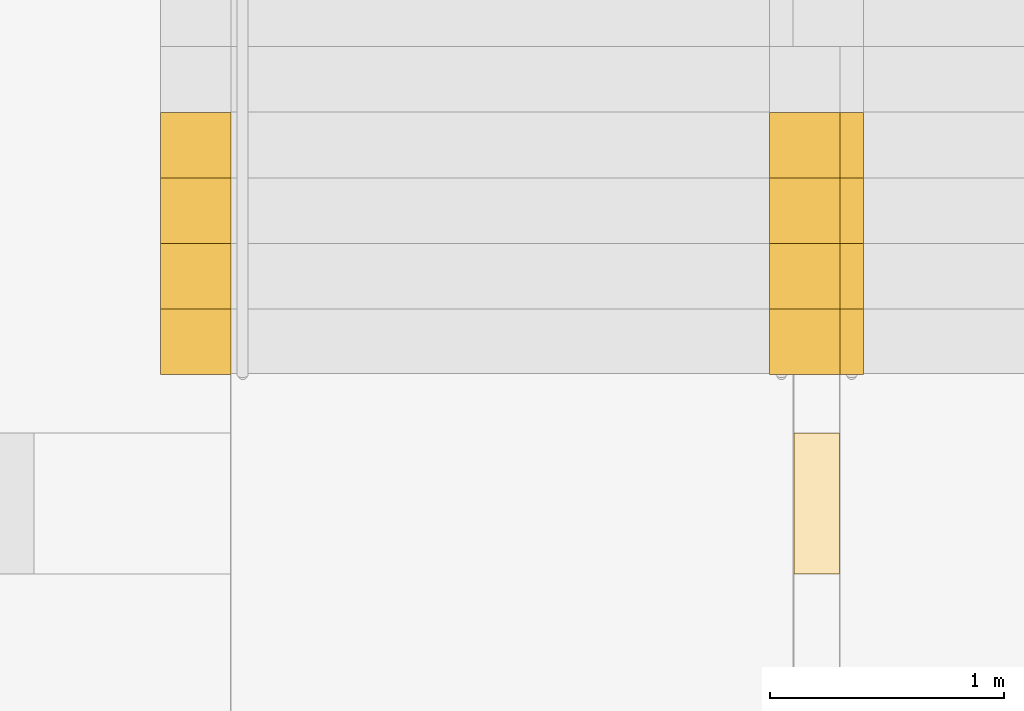
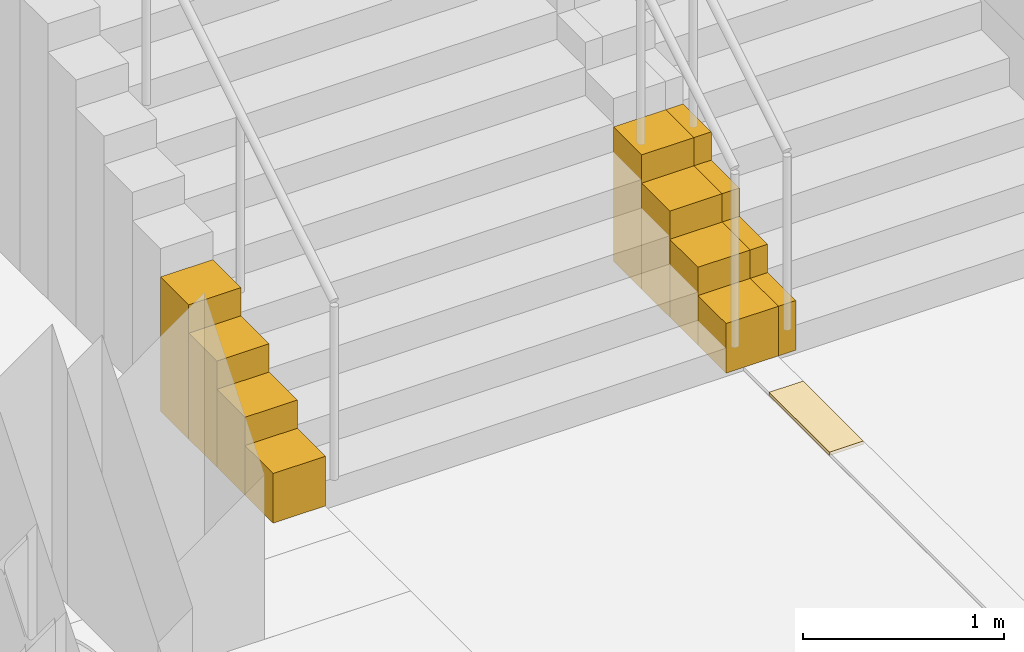
# One storey, part 146 of 148: 13 coverings.
"""IFC4 building model written with IfcOpenShell, lengths in metres."""

from ifc_helpers import new_model, si_unit, direction, frame, origin, place, context, subcontext, project, spatial, polyline, outline, extrude, material, layer, layer_set, type_object, element, save


model = new_model("IFC4")

# Units and contexts
model_context = context("Model", 3, precision=1e-05, world=origin(), true_north=direction((0.0, 1.0)))
body_context = subcontext(model_context, "Body", "Model", "MODEL_VIEW")
ifc_project = project(units=[si_unit("LENGTHUNIT", "METRE"), si_unit("AREAUNIT", "SQUARE_METRE"), si_unit("VOLUMEUNIT", "CUBIC_METRE"), si_unit("PLANEANGLEUNIT", "RADIAN"), si_unit("MASSUNIT", "GRAM", prefix="KILO")], contexts=[model_context])

# Site, building, storey
site_placement = place(None, origin())
site = spatial("IfcSite", under=ifc_project, at=site_placement, CompositionType="ELEMENT")
building_placement = place(site_placement, origin())
building = spatial("IfcBuilding", under=site, at=building_placement, Name="Kupolbacken Congress Centre", CompositionType="ELEMENT")
storey_placement = place(building_placement, origin())
storey = spatial("IfcBuildingStorey", under=building, at=storey_placement, Name="L00", CompositionType="ELEMENT", Elevation=0.0)

# Coverings
ifc_material_1 = material(Name="Limestone cladding", Category="masonry")
ifc_layer_1 = layer(ifc_material_1, 0.1201171875)
ifc_layer_set_1 = layer_set([ifc_layer_1], Name="Limestone cladding")
covering_type_1 = type_object("IfcCoveringType", Name="CV1 limestone cladding band 120", PredefinedType="CLADDING", material=ifc_layer_set_1)
covering_1_placement = place(storey_placement, frame((0.0, 0.0, 0.02001953125)))
element("IfcCovering", 1, at=covering_1_placement, inside=storey, type_object=covering_type_1, Name="Stair cheek wall", PredefinedType="CLADDING", context=body_context, shape_type="SweptSolid", body=[
    extrude(outline(polyline([(206.10009765625, 108.550048828125), (206.10009765625, 108.830078125), (206.39990234375, 108.830078125), (206.39990234375, 108.550048828125), (206.10009765625, 108.550048828125)])), origin(), (0.0, 0.0, 1.0), 0.30126953125),
])
covering_2_placement = place(storey_placement, frame((0.0, 0.0, 0.02001953125)))
element("IfcCovering", 2, at=covering_2_placement, inside=storey, type_object=covering_type_1, Name="Stair cheek wall", PredefinedType="CLADDING", context=body_context, shape_type="SweptSolid", body=[
    extrude(outline(polyline([(206.10009765625, 108.830078125), (206.10009765625, 109.110107421875), (206.39990234375, 109.110107421875), (206.39990234375, 108.830078125), (206.10009765625, 108.830078125)])), origin(), (0.0, 0.0, 1.0), 0.472900390625),
])
covering_3_placement = place(storey_placement, frame((0.0, 0.0, 0.02001953125)))
element("IfcCovering", 3, at=covering_3_placement, inside=storey, type_object=covering_type_1, Name="Stair cheek wall", PredefinedType="CLADDING", context=body_context, shape_type="SweptSolid", body=[
    extrude(outline(polyline([(206.10009765625, 109.110107421875), (206.10009765625, 109.389892578125), (206.39990234375, 109.389892578125), (206.39990234375, 109.110107421875), (206.10009765625, 109.110107421875)])), origin(), (0.0, 0.0, 1.0), 0.644287109375),
])
covering_4_placement = place(storey_placement, frame((0.0, 0.0, 0.02001953125)))
element("IfcCovering", 4, at=covering_4_placement, inside=storey, type_object=covering_type_1, Name="Stair cheek wall", PredefinedType="CLADDING", context=body_context, shape_type="SweptSolid", body=[
    extrude(outline(polyline([(206.10009765625, 109.389892578125), (206.10009765625, 109.669921875), (206.39990234375, 109.669921875), (206.39990234375, 109.389892578125), (206.10009765625, 109.389892578125)])), origin(), (0.0, 0.0, 1.0), 0.815673828125),
])
covering_5_placement = place(storey_placement, frame((0.0, 0.0, 0.02001953125)))
element("IfcCovering", 5, at=covering_5_placement, inside=storey, type_object=covering_type_1, Name="Stair cheek wall", PredefinedType="CLADDING", context=body_context, shape_type="SweptSolid", body=[
    extrude(outline(polyline([(203.699951171875, 108.550048828125), (203.699951171875, 108.830078125), (203.39990234375, 108.830078125), (203.39990234375, 108.550048828125), (203.699951171875, 108.550048828125)])), origin(), (0.0, 0.0, 1.0), 0.30126953125),
])
covering_6_placement = place(storey_placement, frame((0.0, 0.0, 0.02001953125)))
element("IfcCovering", 6, at=covering_6_placement, inside=storey, type_object=covering_type_1, Name="Stair cheek wall", PredefinedType="CLADDING", context=body_context, shape_type="SweptSolid", body=[
    extrude(outline(polyline([(203.699951171875, 108.830078125), (203.699951171875, 109.110107421875), (203.39990234375, 109.110107421875), (203.39990234375, 108.830078125), (203.699951171875, 108.830078125)])), origin(), (0.0, 0.0, 1.0), 0.472900390625),
])
covering_7_placement = place(storey_placement, frame((0.0, 0.0, 0.02001953125)))
element("IfcCovering", 7, at=covering_7_placement, inside=storey, type_object=covering_type_1, Name="Stair cheek wall", PredefinedType="CLADDING", context=body_context, shape_type="SweptSolid", body=[
    extrude(outline(polyline([(203.699951171875, 109.110107421875), (203.699951171875, 109.389892578125), (203.39990234375, 109.389892578125), (203.39990234375, 109.110107421875), (203.699951171875, 109.110107421875)])), origin(), (0.0, 0.0, 1.0), 0.644287109375),
])
covering_8_placement = place(storey_placement, frame((0.0, 0.0, 0.02001953125)))
element("IfcCovering", 8, at=covering_8_placement, inside=storey, type_object=covering_type_1, Name="Stair cheek wall", PredefinedType="CLADDING", context=body_context, shape_type="SweptSolid", body=[
    extrude(outline(polyline([(203.699951171875, 109.389892578125), (203.699951171875, 109.669921875), (203.39990234375, 109.669921875), (203.39990234375, 109.389892578125), (203.699951171875, 109.389892578125)])), origin(), (0.0, 0.0, 1.0), 0.815673828125),
])
covering_9_placement = place(storey_placement, frame((0.0, 0.0, 0.02001953125)))
element("IfcCovering", 9, at=covering_9_placement, inside=storey, type_object=covering_type_1, Name="Stair cheek wall", PredefinedType="CLADDING", context=body_context, shape_type="SweptSolid", body=[
    extrude(outline(polyline([(206.300048828125, 108.550048828125), (206.300048828125, 108.830078125), (206.0, 108.830078125), (206.0, 108.550048828125), (206.300048828125, 108.550048828125)])), origin(), (0.0, 0.0, 1.0), 0.30126953125),
])
covering_10_placement = place(storey_placement, frame((0.0, 0.0, 0.02001953125)))
element("IfcCovering", 10, at=covering_10_placement, inside=storey, type_object=covering_type_1, Name="Stair cheek wall", PredefinedType="CLADDING", context=body_context, shape_type="SweptSolid", body=[
    extrude(outline(polyline([(206.300048828125, 108.830078125), (206.300048828125, 109.110107421875), (206.0, 109.110107421875), (206.0, 108.830078125), (206.300048828125, 108.830078125)])), origin(), (0.0, 0.0, 1.0), 0.472900390625),
])
covering_11_placement = place(storey_placement, frame((0.0, 0.0, 0.02001953125)))
element("IfcCovering", 11, at=covering_11_placement, inside=storey, type_object=covering_type_1, Name="Stair cheek wall", PredefinedType="CLADDING", context=body_context, shape_type="SweptSolid", body=[
    extrude(outline(polyline([(206.300048828125, 109.110107421875), (206.300048828125, 109.389892578125), (206.0, 109.389892578125), (206.0, 109.110107421875), (206.300048828125, 109.110107421875)])), origin(), (0.0, 0.0, 1.0), 0.644287109375),
])
covering_12_placement = place(storey_placement, frame((0.0, 0.0, 0.02001953125)))
element("IfcCovering", 12, at=covering_12_placement, inside=storey, type_object=covering_type_1, Name="Stair cheek wall", PredefinedType="CLADDING", context=body_context, shape_type="SweptSolid", body=[
    extrude(outline(polyline([(206.300048828125, 109.389892578125), (206.300048828125, 109.669921875), (206.0, 109.669921875), (206.0, 109.389892578125), (206.300048828125, 109.389892578125)])), origin(), (0.0, 0.0, 1.0), 0.815673828125),
])
ifc_material_2 = material(Name="Limestone cladding", Category="masonry")
ifc_layer_2 = layer(ifc_material_2, 0.02001953125)
ifc_layer_set_2 = layer_set([ifc_layer_2], Name="Limestone cladding")
covering_type_2 = type_object("IfcCoveringType", Name="GF1 limestone paving 20", PredefinedType="FLOORING", material=ifc_layer_set_2)
covering_13_placement = place(storey_placement, origin())
element("IfcCovering", 13, at=covering_13_placement, inside=storey, type_object=covering_type_2, Name="East paving band", PredefinedType="FLOORING", context=body_context, shape_type="SweptSolid", body=[
    extrude(outline(polyline([(206.1025390625, 107.699951171875), (206.1025390625, 108.300048828125), (206.297607421875, 108.300048828125), (206.297607421875, 107.699951171875), (206.1025390625, 107.699951171875)])), origin(), (0.0, 0.0, 1.0), 0.02001953125),
])

save(model, "model.ifc")
